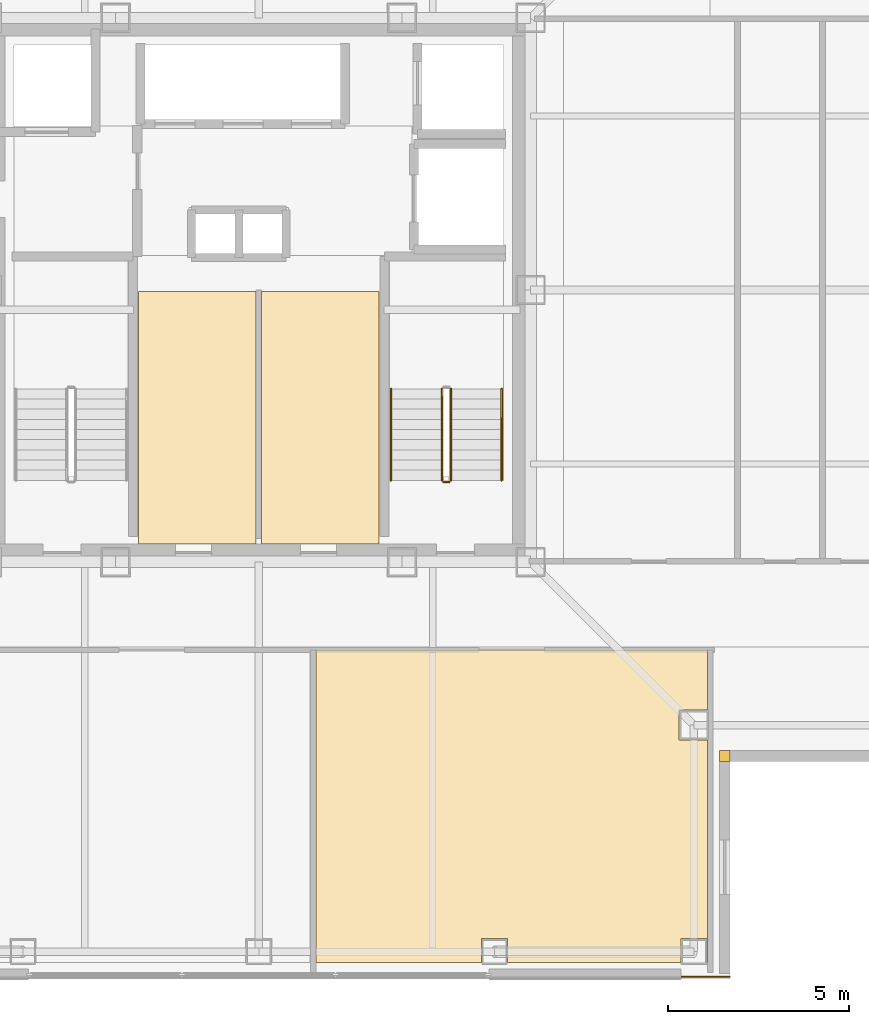
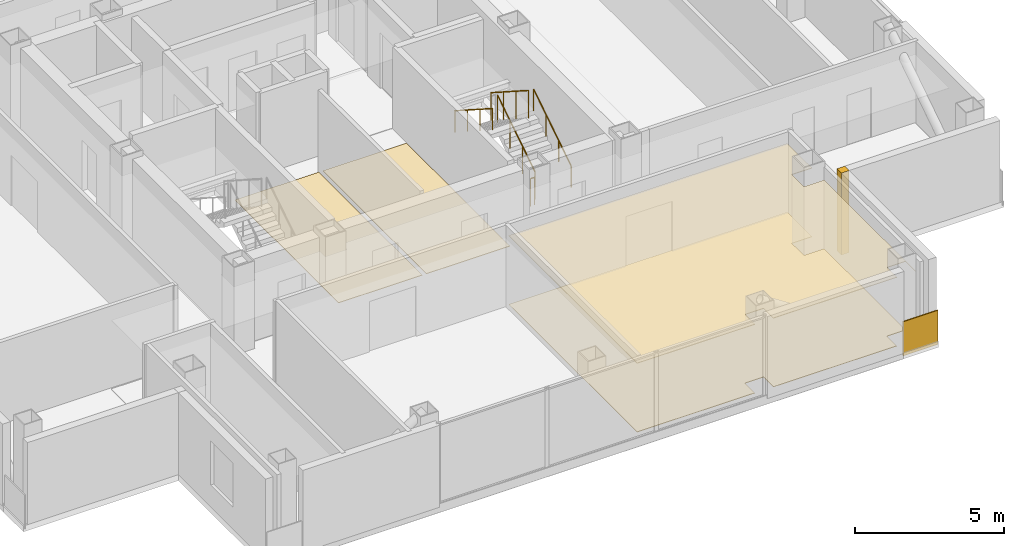
# One storey, part 12 of 16: 6 coverings, 5 railings.
"""IFC4 building model written with IfcOpenShell, lengths in metres."""

from ifc_helpers import new_model, si_unit, direction, frame, frame_2d, origin, origin_2d, place, context, subcontext, project, spatial, polyline, rectangle, circle, outline, extrude, material, layer, layer_set, type_object, element, save


model = new_model("IFC4")

# Units and contexts
model_context = context("Model", 3, precision=1e-05, world=origin(), true_north=direction((0.0, 1.0)))
body_context = subcontext(model_context, "Body", "Model", "MODEL_VIEW")
ifc_project = project(units=[si_unit("LENGTHUNIT", "METRE"), si_unit("AREAUNIT", "SQUARE_METRE"), si_unit("VOLUMEUNIT", "CUBIC_METRE"), si_unit("PLANEANGLEUNIT", "RADIAN"), si_unit("MASSUNIT", "GRAM", prefix="KILO")], contexts=[model_context])

# Site, building, storey
site_placement = place(None, origin())
site = spatial("IfcSite", under=ifc_project, at=site_placement, CompositionType="ELEMENT")
building_placement = place(site_placement, origin())
building = spatial("IfcBuilding", under=site, at=building_placement, Name="Trevonay Congress Spire", CompositionType="ELEMENT")
storey_placement = place(building_placement, frame((0.0, 0.0, 268.39990234375)))
storey = spatial("IfcBuildingStorey", under=building, at=storey_placement, Name="L70", CompositionType="ELEMENT", Elevation=268.39990234375)

# Coverings
ifc_material_1 = material(Name="Acoustic Mineral Fibre Board", Category="gypsum")
ifc_layer_1 = layer(ifc_material_1, 0.02490234375, Name="Acoustic Mineral Fibre Board")
ifc_layer_set_1 = layer_set([ifc_layer_1], Name="Acoustic Mineral Fibre Board")
covering_type_1 = type_object("IfcCoveringType", Name="COV-CEIL-ACOUSTIC", PredefinedType="CEILING", material=ifc_layer_set_1)
covering_1_placement = place(storey_placement, frame((0.0, 0.0, 2.81005859375)))
element("IfcCovering", 1, at=covering_1_placement, inside=storey, type_object=covering_type_1, Name="L70 Sculpture Terrace Salon Lounge acoustic suspended ceiling", PredefinedType="CEILING", context=body_context, shape_type="SweptSolid", body=[
    extrude(outline(polyline([(1.580078125, -18.550048828125), (1.580078125, -9.929931640625), (12.3701171875, -9.929931640625), (12.3701171875, -11.590087890625), (11.590087890625, -11.590087890625), (11.590087890625, -12.409912109375), (12.3701171875, -12.409912109375), (12.3701171875, -18.550048828125), (12.360107421875, -18.550048828125), (12.360107421875, -17.889892578125), (11.639892578125, -17.889892578125), (11.639892578125, -18.550048828125), (6.860107421875, -18.550048828125), (6.860107421875, -17.889892578125), (6.139892578125, -17.889892578125), (6.139892578125, -18.550048828125), (1.580078125, -18.550048828125)])), origin(), (0.0, 0.0, 1.0), 0.025146484375),
])
ifc_material_2 = material(Name="Polished Granite Floor Tile", Category="masonry")
ifc_layer_2 = layer(ifc_material_2, 0.02001953125, Name="Polished Granite Floor Tile")
ifc_layer_set_2 = layer_set([ifc_layer_2], Name="Polished Granite Floor Tile")
covering_type_2 = type_object("IfcCoveringType", Name="COV-FLOOR-STONE", PredefinedType="FLOORING", material=ifc_layer_set_2)
covering_2_placement = place(storey_placement, origin())
element("IfcCovering", 2, at=covering_2_placement, inside=storey, type_object=covering_type_2, Name="L70 Core Server and IT Hub floor finish", PredefinedType="FLOORING", context=body_context, shape_type="SweptSolid", body=[
    extrude(outline(polyline([(-3.320068359375, -7.0), (-0.080078125, -7.0), (-0.080078125, -0.050048828125), (-3.320068359375, -0.050048828125), (-3.320068359375, -7.0)])), origin(), (0.0, 0.0, 1.0), 0.02001953125),
])
covering_3_placement = place(storey_placement, origin())
element("IfcCovering", 3, at=covering_3_placement, inside=storey, type_object=covering_type_2, Name="L70 Core Document Archive Room floor finish", PredefinedType="FLOORING", context=body_context, shape_type="SweptSolid", body=[
    extrude(outline(polyline([(0.080078125, -7.0), (3.320068359375, -7.0), (3.320068359375, -0.050048828125), (0.080078125, -0.050048828125), (0.080078125, -7.0)])), origin(), (0.0, 0.0, 1.0), 0.02001953125),
])
ifc_material_3 = material(Name="Engineered Oak Flooring", Category="wood")
ifc_layer_3 = layer(ifc_material_3, 0.01806640625, Name="Engineered Oak Flooring")
ifc_layer_set_3 = layer_set([ifc_layer_3], Name="Engineered Oak Flooring")
covering_type_3 = type_object("IfcCoveringType", Name="COV-FLOOR-TIMBER", PredefinedType="FLOORING", material=ifc_layer_set_3)
covering_4_placement = place(storey_placement, origin())
element("IfcCovering", 4, at=covering_4_placement, inside=storey, type_object=covering_type_3, Name="L70 Sculpture Terrace Salon Lounge floor finish", PredefinedType="FLOORING", context=body_context, shape_type="SweptSolid", body=[
    extrude(outline(polyline([(1.580078125, -18.550048828125), (1.580078125, -9.929931640625), (12.3701171875, -9.929931640625), (12.3701171875, -11.590087890625), (11.590087890625, -11.590087890625), (11.590087890625, -12.409912109375), (12.3701171875, -12.409912109375), (12.3701171875, -18.550048828125), (12.360107421875, -18.550048828125), (12.360107421875, -17.889892578125), (11.639892578125, -17.889892578125), (11.639892578125, -18.550048828125), (6.860107421875, -18.550048828125), (6.860107421875, -17.889892578125), (6.139892578125, -17.889892578125), (6.139892578125, -18.550048828125), (1.580078125, -18.550048828125)])), origin(), (0.0, 0.0, 1.0), 0.01806640625),
])
ifc_material_4 = material(Name="Pale Anodised Aluminium EN AW-6063-T6", Category="aluminium")
ifc_layer_4 = layer(ifc_material_4, 0.0400390625, Name="Pale Anodised Aluminium EN AW-6063-T6")
ifc_layer_set_4 = layer_set([ifc_layer_4], Name="Pale Anodised Aluminium EN AW-6063-T6")
covering_type_4 = type_object("IfcCoveringType", Name="COV-SPANDREL-PALE-METAL", PredefinedType="CLADDING", material=ifc_layer_set_4)
covering_5_placement = place(storey_placement, origin())
element("IfcCovering", 5, at=covering_5_placement, inside=storey, type_object=covering_type_4, Name="L70 SE re-entrant notch corner closure trim", PredefinedType="CLADDING", context=body_context, shape_type="SweptSolid", body=[
    extrude(outline(polyline([(12.699951171875, -13.0), (13.0, -13.0), (13.0, -12.699951171875), (12.699951171875, -12.699951171875), (12.699951171875, -13.0)])), origin(), (0.0, 0.0, 1.0), 3.360107421875),
])
covering_6_placement = place(storey_placement, frame((11.64990234375, -18.93994140625, -0.14990234375), z_axis=(0.0, 0.0, 1.0), x_axis=(1.0, 0.0, 0.0)))
element("IfcCovering", 6, at=covering_6_placement, inside=storey, type_object=covering_type_4, Name="L70 SE corner pier spandrel cladding 2", PredefinedType="CLADDING", context=body_context, shape_type="SweptSolid", body=[
    extrude(rectangle(XDim=1.35009765625, YDim=0.0400390625, at=frame_2d((0.675048828125, 0.0))), origin(), (0.0, 0.0, 1.0), 1.39990234375),
])

# Railings
railing_type_1 = type_object("IfcRailingType", Name="RAL-STAIR-GUARD-110", PredefinedType="GUARDRAIL", material=ifc_material_4)
railing_1_placement = place(storey_placement, frame((5.300048828125, -5.25, 0.18017578125)))
element("IfcRailing", 7, at=railing_1_placement, inside=storey, type_object=railing_type_1, Name="L70 ST-2 stair guard 1", PredefinedType="GUARDRAIL", context=body_context, shape_type="SweptSolid", body=[
    extrude(circle(Radius=0.02392578125, at=origin_2d()), frame((0.0, 0.0, 1.1259765625), z_axis=(0.0, 0.841199657755, 0.540724639528), x_axis=(-1.0, 0.0, 0.0)), (0.0, 0.0, 1.0), 2.995849609375),
    extrude(circle(Radius=0.02099609375, at=origin_2d()), origin(), (0.0, 0.0, 1.0), 1.101806640625),
    extrude(circle(Radius=0.02099609375, at=origin_2d()), frame((0.0, 0.840087890625, 0.5400390625)), (0.0, 0.0, 1.0), 1.101806640625),
    extrude(circle(Radius=0.02099609375, at=origin_2d()), frame((0.0, 1.679931640625, 1.079833984375)), (0.0, 0.0, 1.0), 1.101806640625),
    extrude(circle(Radius=0.02099609375, at=origin_2d()), frame((0.0, 2.52001953125, 1.619873046875)), (0.0, 0.0, 1.0), 1.101806640625),
])
railing_2_placement = place(storey_placement, frame((5.050048828125, -2.72998046875, 1.97998046875)))
element("IfcRailing", 8, at=railing_2_placement, inside=storey, type_object=railing_type_1, Name="L70 ST-2 stair guard 3", PredefinedType="GUARDRAIL", context=body_context, shape_type="SweptSolid", body=[
    extrude(circle(Radius=0.02392578125, at=origin_2d()), frame((0.0, 0.0, 1.1259765625), z_axis=(0.0, -0.841162588446, 0.540782303519), x_axis=(1.0, 0.0, 0.0)), (0.0, 0.0, 1.0), 2.995849609375),
    extrude(circle(Radius=0.02099609375, at=origin_2d()), origin(), (0.0, 0.0, 1.0), 1.101806640625),
    extrude(circle(Radius=0.02099609375, at=origin_2d()), frame((0.0, -0.840087890625, 0.5400390625)), (0.0, 0.0, 1.0), 1.101806640625),
    extrude(circle(Radius=0.02099609375, at=origin_2d()), frame((0.0, -1.679931640625, 1.080078125)), (0.0, 0.0, 1.0), 1.101806640625),
    extrude(circle(Radius=0.02099609375, at=origin_2d()), frame((0.0, -2.52001953125, 1.6201171875)), (0.0, 0.0, 1.0), 1.101806640625),
])
railing_3_placement = place(storey_placement, frame((5.25, -5.300048828125, 0.0)))
element("IfcRailing", 9, at=railing_3_placement, inside=storey, type_object=railing_type_1, Name="L70 ST-2 stair guard 4", PredefinedType="GUARDRAIL", context=body_context, shape_type="SweptSolid", body=[
    extrude(circle(Radius=0.02392578125, at=origin_2d()), frame((0.0, 0.0, 1.1259765625), z_axis=(-1.0, 0.0, 0.0), x_axis=(0.0, -1.0, 0.0)), (0.0, 0.0, 1.0), 0.14990234375),
    extrude(circle(Radius=0.02099609375, at=origin_2d()), origin(), (0.0, 0.0, 1.0), 1.101806640625),
    extrude(circle(Radius=0.02099609375, at=origin_2d()), frame((-0.14990234375, 0.0, 0.0)), (0.0, 0.0, 1.0), 1.101806640625),
])
railing_type_2 = type_object("IfcRailingType", Name="RAL-STAIR-HANDRAIL", PredefinedType="HANDRAIL", material=ifc_material_4)
railing_4_placement = place(storey_placement, frame((6.699951171875, -5.25, 0.18017578125)))
element("IfcRailing", 10, at=railing_4_placement, inside=storey, type_object=railing_type_2, Name="L70 ST-2 stair handrail 1", PredefinedType="HANDRAIL", context=body_context, shape_type="SweptSolid", body=[
    extrude(circle(Radius=0.02392578125, at=origin_2d()), frame((0.0, 0.0, 0.8759765625), z_axis=(0.0, 0.841199657755, 0.540724639528), x_axis=(-1.0, 0.0, 0.0)), (0.0, 0.0, 1.0), 2.995849609375),
    extrude(circle(Radius=0.02099609375, at=origin_2d()), origin(), (0.0, 0.0, 1.0), 0.851806640625),
    extrude(circle(Radius=0.02099609375, at=origin_2d()), frame((0.0, 0.840087890625, 0.5400390625)), (0.0, 0.0, 1.0), 0.851806640625),
    extrude(circle(Radius=0.02099609375, at=origin_2d()), frame((0.0, 1.679931640625, 1.079833984375)), (0.0, 0.0, 1.0), 0.851806640625),
    extrude(circle(Radius=0.02099609375, at=origin_2d()), frame((0.0, 2.52001953125, 1.619873046875)), (0.0, 0.0, 1.0), 0.851806640625),
])
railing_5_placement = place(storey_placement, frame((3.64990234375, -2.72998046875, 1.97998046875)))
element("IfcRailing", 11, at=railing_5_placement, inside=storey, type_object=railing_type_2, Name="L70 ST-2 stair handrail 2", PredefinedType="HANDRAIL", context=body_context, shape_type="SweptSolid", body=[
    extrude(circle(Radius=0.02392578125, at=origin_2d()), frame((0.0, 0.0, 0.8759765625), z_axis=(0.0, -0.841162588446, 0.540782303519), x_axis=(1.0, 0.0, 0.0)), (0.0, 0.0, 1.0), 2.995849609375),
    extrude(circle(Radius=0.02099609375, at=origin_2d()), origin(), (0.0, 0.0, 1.0), 0.851806640625),
    extrude(circle(Radius=0.02099609375, at=origin_2d()), frame((0.0, -0.840087890625, 0.5400390625)), (0.0, 0.0, 1.0), 0.851806640625),
    extrude(circle(Radius=0.02099609375, at=origin_2d()), frame((0.0, -1.679931640625, 1.080078125)), (0.0, 0.0, 1.0), 0.851806640625),
    extrude(circle(Radius=0.02099609375, at=origin_2d()), frame((0.0, -2.52001953125, 1.6201171875)), (0.0, 0.0, 1.0), 0.851806640625),
])

save(model, "model.ifc")
